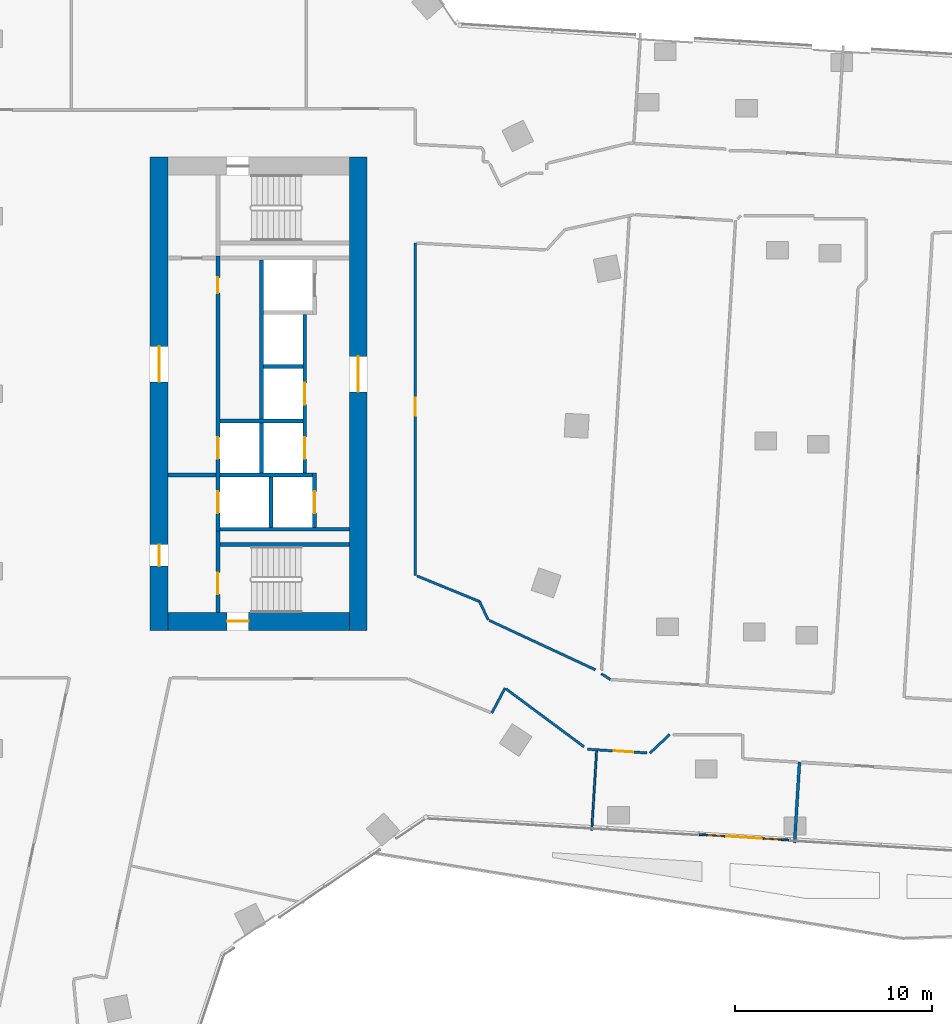
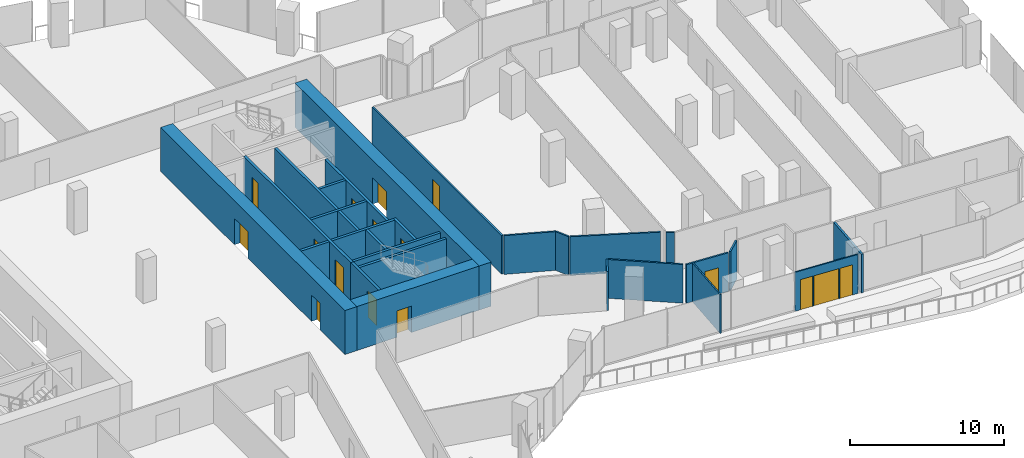
# One storey, part 24 of 34: 28 walls, 14 doors, 2 windows, 16 openings.
"""IFC4 building model written with IfcOpenShell, lengths in metres."""

from ifc_helpers import new_model, si_unit, direction, frame, frame_2d, origin, place, context, subcontext, project, spatial, rectangle, extrude, material, layer, layer_set, type_object, element, fill, save


model = new_model("IFC4")

# Units and contexts
model_context = context("Model", 3, precision=1e-05, world=origin(), true_north=direction((0.0, 1.0)))
body_context = subcontext(model_context, "Body", "Model", "MODEL_VIEW")
ifc_project = project(units=[si_unit("LENGTHUNIT", "METRE"), si_unit("AREAUNIT", "SQUARE_METRE"), si_unit("VOLUMEUNIT", "CUBIC_METRE"), si_unit("PLANEANGLEUNIT", "RADIAN"), si_unit("MASSUNIT", "GRAM", prefix="KILO")], contexts=[model_context])

# Site, building, storey
site_placement = place(None, origin())
site = spatial("IfcSite", under=ifc_project, at=site_placement, CompositionType="ELEMENT")
building_placement = place(site_placement, origin())
building = spatial("IfcBuilding", under=site, at=building_placement, Name="Orlundy Tower", CompositionType="ELEMENT")
storey_placement = place(building_placement, frame((0.0, 0.0, 145.60009765625)))
storey = spatial("IfcBuildingStorey", under=building, at=storey_placement, Name="L37", CompositionType="ELEMENT", Elevation=145.60009765625)

# Wall, opening, door
ifc_material_1 = material(Name="Concrete C70/85", Category="concrete")
ifc_layer_1 = layer(ifc_material_1, 0.89990234375)
ifc_layer_set_1 = layer_set([ifc_layer_1], Name="CORE WALL 900 C70/85")
wall_type_1 = type_object("IfcWallType", Name="CORE WALL 900 C70/85", PredefinedType="SHEAR", material=ifc_layer_set_1)
wall_1_placement = place(storey_placement, frame((8.89990234375, -11.550048828125, 0.0), z_axis=(0.0, 0.0, 1.0), x_axis=(1.0, 0.0, 0.0)))
wall_1 = element("IfcWall", 1, at=wall_1_placement, inside=storey, type_object=wall_type_1, Name="Core wall E-S L37", PredefinedType="SHEAR", context=body_context, shape_type="SweptSolid", body=[
    extrude(rectangle(XDim=9.2001953125, YDim=0.89990234375, at=frame_2d((4.60009765625, 0.0))), origin(), (0.0, 0.0, 1.0), 3.5),
])
opening_1_placement = place(wall_1_placement, frame((3.0, 0.0, 0.0)))
opening_1 = element("IfcOpeningElement", 2, at=opening_1_placement, cuts=wall_1, Name="Opening 28060", PredefinedType="OPENING", context=body_context, shape_type="SweptSolid", body=[
    extrude(rectangle(XDim=1.10009765625, YDim=2.10009765625, at=frame_2d((0.550048828125, 1.050048828125))), frame((0.0, 0.4599609375, 0.0), z_axis=(0.0, -1.0, 0.0), x_axis=(1.0, 0.0, 0.0)), (0.0, 0.0, 1.0), 0.919921875),
])
ifc_material_2 = material(Name="Steel door set", Category="steel")
door_type_1 = type_object("IfcDoorType", Name="Stair Door 1100x2100", OperationType="SINGLE_SWING_LEFT", PredefinedType="DOOR", material=ifc_material_2)
door_1_placement = place(opening_1_placement, origin())
door_1 = element("IfcDoor", 3, at=door_1_placement, inside=storey, type_object=door_type_1, Name="Stair door 28060", OperationType="SINGLE_SWING_LEFT", OverallHeight=2.10009765625, OverallWidth=1.10009765625, PredefinedType="DOOR", context=body_context, shape_type="SweptSolid", body=[
    extrude(rectangle(XDim=1.10009765625, YDim=2.10009765625, at=frame_2d((0.550048828125, 1.050048828125))), frame((0.0, 0.02490234375, 0.0), z_axis=(0.0, -1.0, 0.0), x_axis=(1.0, 0.0, 0.0)), (0.0, 0.0, 1.0), 0.050048828125),
])
fill(opening_1, door_1)

# Wall, openings, doors
wall_2_placement = place(storey_placement, frame((8.449951171875, -12.0, 0.0), z_axis=(0.0, 0.0, 1.0), x_axis=(0.0, 1.0, 0.0)))
wall_2 = element("IfcWall", 4, at=wall_2_placement, inside=storey, type_object=wall_type_1, Name="Core wall E-W L37", PredefinedType="SHEAR", context=body_context, shape_type="SweptSolid", body=[
    extrude(rectangle(XDim=24.0, YDim=0.89990234375, at=frame_2d((12.0, 0.0))), origin(), (0.0, 0.0, 1.0), 3.5),
])
opening_2_placement = place(wall_2_placement, frame((12.60009765625, 0.0, 0.0)))
opening_2 = element("IfcOpeningElement", 5, at=opening_2_placement, cuts=wall_2, Name="Opening 28057", PredefinedType="OPENING", context=body_context, shape_type="SweptSolid", body=[
    extrude(rectangle(XDim=1.800048828125, YDim=2.10009765625, at=frame_2d((0.89990234375, 1.050048828125))), frame((0.0, 0.4599609375, 0.0), z_axis=(0.0, -1.0, 0.0), x_axis=(1.0, 0.0, 0.0)), (0.0, 0.0, 1.0), 0.919921875),
])
opening_3_placement = place(wall_2_placement, frame((3.25, 0.0, 0.0)))
opening_3 = element("IfcOpeningElement", 6, at=opening_3_placement, cuts=wall_2, Name="Opening 28059", PredefinedType="OPENING", context=body_context, shape_type="SweptSolid", body=[
    extrude(rectangle(XDim=1.10009765625, YDim=2.10009765625, at=frame_2d((0.550048828125, 1.050048828125))), frame((0.0, 0.4599609375, 0.0), z_axis=(0.0, -1.0, 0.0), x_axis=(1.0, 0.0, 0.0)), (0.0, 0.0, 1.0), 0.919921875),
])
ifc_material_3 = material(Name="Steel door set", Category="steel")
door_type_2 = type_object("IfcDoorType", Name="Fire-fighting Lobby Door 1100x2100", OperationType="SINGLE_SWING_LEFT", PredefinedType="DOOR", material=ifc_material_3)
door_2_placement = place(opening_3_placement, origin())
door_2 = element("IfcDoor", 7, at=door_2_placement, inside=storey, type_object=door_type_2, Name="Fire-fighting lobby door 28059", OperationType="SINGLE_SWING_LEFT", OverallHeight=2.10009765625, OverallWidth=1.10009765625, PredefinedType="DOOR", context=body_context, shape_type="SweptSolid", body=[
    extrude(rectangle(XDim=1.10009765625, YDim=2.10009765625, at=frame_2d((0.550048828125, 1.050048828125))), frame((0.0, 0.02490234375, 0.0), z_axis=(0.0, -1.0, 0.0), x_axis=(1.0, 0.0, 0.0)), (0.0, 0.0, 1.0), 0.050048828125),
])
fill(opening_3, door_2)
ifc_material_4 = material(Name="Timber door set", Category="wood")
door_type_3 = type_object("IfcDoorType", Name="Lobby Door 1800x2100", OperationType="DOUBLE_DOOR_DOUBLE_SWING", PredefinedType="DOOR", material=ifc_material_4)
door_3_placement = place(opening_2_placement, origin())
door_3 = element("IfcDoor", 8, at=door_3_placement, inside=storey, type_object=door_type_3, Name="Lift lobby door 28057", OperationType="SINGLE_SWING_RIGHT", OverallHeight=2.10009765625, OverallWidth=1.800048828125, PredefinedType="DOOR", context=body_context, shape_type="SweptSolid", body=[
    extrude(rectangle(XDim=1.800048828125, YDim=2.10009765625, at=frame_2d((0.89990234375, 1.050048828125))), frame((0.0, 0.02490234375, 0.0), z_axis=(0.0, -1.0, 0.0), x_axis=(1.0, 0.0, 0.0)), (0.0, 0.0, 1.0), 0.050048828125),
])
fill(opening_2, door_3)

# Wall, opening, door
wall_3_placement = place(storey_placement, frame((18.550048828125, -12.0, 0.0), z_axis=(0.0, 0.0, 1.0), x_axis=(0.0, 1.0, 0.0)))
wall_3 = element("IfcWall", 9, at=wall_3_placement, inside=storey, type_object=wall_type_1, Name="Core wall E-E L37", PredefinedType="SHEAR", context=body_context, shape_type="SweptSolid", body=[
    extrude(rectangle(XDim=24.0, YDim=0.89990234375, at=frame_2d((12.0, 0.0))), origin(), (0.0, 0.0, 1.0), 3.5),
])
opening_4_placement = place(wall_3_placement, frame((12.10009765625, 0.0, 0.0)))
opening_4 = element("IfcOpeningElement", 10, at=opening_4_placement, cuts=wall_3, Name="Opening 28058", PredefinedType="OPENING", context=body_context, shape_type="SweptSolid", body=[
    extrude(rectangle(XDim=1.800048828125, YDim=2.10009765625, at=frame_2d((0.89990234375, 1.050048828125))), frame((0.0, 0.4599609375, 0.0), z_axis=(0.0, -1.0, 0.0), x_axis=(1.0, 0.0, 0.0)), (0.0, 0.0, 1.0), 0.919921875),
])
door_4_placement = place(opening_4_placement, origin())
door_4 = element("IfcDoor", 11, at=door_4_placement, inside=storey, type_object=door_type_3, Name="Lift lobby door 28058", OperationType="SINGLE_SWING_RIGHT", OverallHeight=2.10009765625, OverallWidth=1.800048828125, PredefinedType="DOOR", context=body_context, shape_type="SweptSolid", body=[
    extrude(rectangle(XDim=1.800048828125, YDim=2.10009765625, at=frame_2d((0.89990234375, 1.050048828125))), frame((0.0, 0.02490234375, 0.0), z_axis=(0.0, -1.0, 0.0), x_axis=(1.0, 0.0, 0.0)), (0.0, 0.0, 1.0), 0.050048828125),
])
fill(opening_4, door_4)

# Walls
ifc_material_5 = material(Name="Gypsum board partition")
ifc_layer_2 = layer(ifc_material_5, 0.10009765625)
ifc_layer_set_2 = layer_set([ifc_layer_2], Name="Floor partition 100")
wall_type_2 = type_object("IfcWallType", Name="Floor partition 100", PredefinedType="PARTITIONING", material=ifc_layer_set_2)
wall_4_placement = place(storey_placement, frame((30.39794921875, -22.14697265625, 0.0), z_axis=(0.0, 0.0, 1.0), x_axis=(0.061043573774, 0.998135102128, 0.0)))
element("IfcWall", 12, at=wall_4_placement, inside=storey, type_object=wall_type_2, Name="wall-int-L37-123", PredefinedType="PARTITIONING", context=body_context, shape_type="SweptSolid", body=[
    extrude(rectangle(XDim=4.031494140625, YDim=0.10009765625, at=frame_2d((2.015625, 0.0))), origin(), (0.0, 0.0, 1.0), 3.079833984375),
])
ifc_material_6 = material(Name="Gypsum board partition, double layer")
ifc_layer_3 = layer(ifc_material_6, 0.125)
ifc_layer_set_3 = layer_set([ifc_layer_3], Name="Floor partition 125")
wall_type_3 = type_object("IfcWallType", Name="Floor partition 125", PredefinedType="PARTITIONING", material=ifc_layer_set_3)
wall_5_placement = place(storey_placement, frame((26.050048828125, -14.968994140625, 0.0), z_axis=(0.0, 0.0, 1.0), x_axis=(0.802733003706, -0.596338599087, 0.0)))
element("IfcWall", 13, at=wall_5_placement, inside=storey, type_object=wall_type_3, Name="wall-int-L37-010", PredefinedType="PARTITIONING", context=body_context, shape_type="SweptSolid", body=[
    extrude(rectangle(XDim=4.9267578125, YDim=0.125, at=frame_2d((2.46337890625, 0.0))), origin(), (0.0, 0.0, 1.0), 3.079833984375),
])
wall_6_placement = place(storey_placement, frame((30.577880859375, -14.0, 0.0), z_axis=(0.0, 0.0, 1.0), x_axis=(-0.906684476779, 0.421809506257, 0.0)))
element("IfcWall", 14, at=wall_6_placement, inside=storey, type_object=wall_type_3, Name="wall-int-L37-011", PredefinedType="PARTITIONING", context=body_context, shape_type="SweptSolid", body=[
    extrude(rectangle(XDim=5.9267578125, YDim=0.125, at=frame_2d((2.96337890625, 0.0))), origin(), (0.0, 0.0, 1.0), 3.079833984375),
])
wall_7_placement = place(storey_placement, frame((30.884033203125, -14.198974609375, 0.0), z_axis=(0.0, 0.0, 1.0), x_axis=(0.838402684299, -0.545051317731, 0.0)))
element("IfcWall", 15, at=wall_7_placement, inside=storey, type_object=wall_type_3, Name="wall-int-L37-012", PredefinedType="PARTITIONING", context=body_context, shape_type="SweptSolid", body=[
    extrude(rectangle(XDim=0.545166015625, YDim=0.125, at=frame_2d((0.2724609375, 0.0))), origin(), (0.0, 0.0, 1.0), 3.079833984375),
])
wall_8_placement = place(storey_placement, frame((21.535888671875, -9.241943359375, 0.0), z_axis=(0.0, 0.0, 1.0), x_axis=(0.925663837475, -0.37834701002, 0.0)))
element("IfcWall", 16, at=wall_8_placement, inside=storey, type_object=wall_type_3, Name="wall-int-L37-014", PredefinedType="PARTITIONING", context=body_context, shape_type="SweptSolid", body=[
    extrude(rectangle(XDim=3.42578125, YDim=0.125, at=frame_2d((1.712890625, 0.0))), origin(), (0.0, 0.0, 1.0), 3.079833984375),
])

# Wall, opening, door
wall_9_placement = place(storey_placement, frame((33.20703125, -18.218017578125, 0.0), z_axis=(0.0, 0.0, 1.0), x_axis=(-0.998124126211, 0.061222779053, 0.0)))
wall_9 = element("IfcWall", 17, at=wall_9_placement, inside=storey, type_object=wall_type_3, Name="wall-int-L37-034", PredefinedType="PARTITIONING", context=body_context, shape_type="SweptSolid", body=[
    extrude(rectangle(XDim=3.03857421875, YDim=0.125, at=frame_2d((1.519287109375, 0.0))), origin(), (0.0, 0.0, 1.0), 3.079833984375),
])
opening_5_placement = place(wall_9_placement, frame((0.70361328125, 0.0, 0.0)))
opening_5 = element("IfcOpeningElement", 18, at=opening_5_placement, cuts=wall_9, Name="Opening 28109", PredefinedType="OPENING", context=body_context, shape_type="SweptSolid", body=[
    extrude(rectangle(XDim=1.0, YDim=2.10009765625, at=frame_2d((0.5, 1.050048828125))), frame((0.0, 0.072509765625, 0.0), z_axis=(0.0, -1.0, 0.0), x_axis=(1.0, 0.0, 0.0)), (0.0, 0.0, 1.0), 0.14501953125),
])
ifc_material_7 = material(Name="Timber door leaf", Category="wood")
door_type_4 = type_object("IfcDoorType", Name="Floor door wide 1000 FD30S", OperationType="NOTDEFINED", PredefinedType="DOOR", material=ifc_material_7)
door_5_placement = place(opening_5_placement, origin())
door_5 = element("IfcDoor", 19, at=door_5_placement, inside=storey, type_object=door_type_4, Name="Door 28109", OperationType="SINGLE_SWING_LEFT", OverallHeight=2.10009765625, OverallWidth=1.0, PredefinedType="DOOR", context=body_context, shape_type="SweptSolid", body=[
    extrude(rectangle(XDim=1.0, YDim=2.10009765625, at=frame_2d((0.5, 1.050048828125))), frame((0.0, 0.02490234375, 0.0), z_axis=(0.0, -1.0, 0.0), x_axis=(1.0, 0.0, 0.0)), (0.0, 0.0, 1.0), 0.050048828125),
])
fill(opening_5, door_5)

# Walls
wall_10_placement = place(storey_placement, frame((33.35302734375, -18.22607421875, 0.0), z_axis=(0.0, 0.0, 1.0), x_axis=(0.728378164572, 0.685175342066, 0.0)))
element("IfcWall", 20, at=wall_10_placement, inside=storey, type_object=wall_type_3, Name="wall-int-L37-090", PredefinedType="PARTITIONING", context=body_context, shape_type="SweptSolid", body=[
    extrude(rectangle(XDim=1.367431640625, YDim=0.125, at=frame_2d((0.68359375, 0.0))), origin(), (0.0, 0.0, 1.0), 3.079833984375),
])
wall_11_placement = place(storey_placement, frame((26.0, -14.931884765625, 0.0), z_axis=(0.0, 0.0, 1.0), x_axis=(-0.469063701963, -0.883164335501, 0.0)))
element("IfcWall", 21, at=wall_11_placement, inside=storey, type_object=wall_type_3, Name="wall-int-L37-092", PredefinedType="PARTITIONING", context=body_context, shape_type="SweptSolid", body=[
    extrude(rectangle(XDim=1.43017578125, YDim=0.125, at=frame_2d((0.715087890625, 0.0))), origin(), (0.0, 0.0, 1.0), 3.079833984375),
])
wall_12_placement = place(storey_placement, frame((25.14697265625, -11.47412109375, 0.0), z_axis=(0.0, 0.0, 1.0), x_axis=(-0.425365006665, 0.905021884324, 0.0)))
element("IfcWall", 22, at=wall_12_placement, inside=storey, type_object=wall_type_3, Name="wall-int-L37-093", PredefinedType="PARTITIONING", context=body_context, shape_type="SweptSolid", body=[
    extrude(rectangle(XDim=1.0341796875, YDim=0.125, at=frame_2d((0.51708984375, 0.0))), origin(), (0.0, 0.0, 1.0), 3.079833984375),
])

# Wall, opening, door
wall_13_placement = place(storey_placement, frame((21.449951171875, 7.64306640625, 0.0), z_axis=(0.0, 0.0, 1.0), x_axis=(0.0, -1.0, 0.0)))
wall_13 = element("IfcWall", 23, at=wall_13_placement, inside=storey, type_object=wall_type_3, Name="wall-int-L37-133", PredefinedType="PARTITIONING", context=body_context, shape_type="SweptSolid", body=[
    extrude(rectangle(XDim=16.85009765625, YDim=0.125, at=frame_2d((8.425048828125, 0.0))), origin(), (0.0, 0.0, 1.0), 3.079833984375),
])
opening_6_placement = place(wall_13_placement, frame((7.85009765625, 0.0, 0.0)))
opening_6 = element("IfcOpeningElement", 24, at=opening_6_placement, cuts=wall_13, Name="Opening 28127", PredefinedType="OPENING", context=body_context, shape_type="SweptSolid", body=[
    extrude(rectangle(XDim=0.89990234375, YDim=2.10009765625, at=frame_2d((0.449951171875, 1.050048828125))), frame((0.0, 0.072509765625, 0.0), z_axis=(0.0, -1.0, 0.0), x_axis=(1.0, 0.0, 0.0)), (0.0, 0.0, 1.0), 0.14501953125),
])
ifc_material_8 = material(Name="Timber door leaf", Category="wood")
door_type_5 = type_object("IfcDoorType", Name="Floor door single 900 FD30S", OperationType="NOTDEFINED", PredefinedType="DOOR", material=ifc_material_8)
door_6_placement = place(opening_6_placement, origin())
door_6 = element("IfcDoor", 25, at=door_6_placement, inside=storey, type_object=door_type_5, Name="Door 28127", OperationType="SINGLE_SWING_LEFT", OverallHeight=2.10009765625, OverallWidth=0.89990234375, PredefinedType="DOOR", context=body_context, shape_type="SweptSolid", body=[
    extrude(rectangle(XDim=0.89990234375, YDim=2.10009765625, at=frame_2d((0.449951171875, 1.050048828125))), frame((0.0, 0.02490234375, 0.0), z_axis=(0.0, -1.0, 0.0), x_axis=(1.0, 0.0, 0.0)), (0.0, 0.0, 1.0), 0.050048828125),
])
fill(opening_6, door_6)

# Wall
ifc_material_9 = material(Name="Blockwork shaft wall", Category="masonry")
ifc_layer_4 = layer(ifc_material_9, 0.14990234375)
ifc_layer_set_4 = layer_set([ifc_layer_4], Name="Floor shaft wall 150")
wall_type_4 = type_object("IfcWallType", Name="Floor shaft wall 150", PredefinedType="PARTITIONING", material=ifc_layer_set_4)
wall_14_placement = place(storey_placement, frame((40.68603515625, -22.77587890625, 0.0), z_axis=(0.0, 0.0, 1.0), x_axis=(0.060848074347, 0.998147039192, 0.0)))
element("IfcWall", 26, at=wall_14_placement, inside=storey, type_object=wall_type_4, Name="wall-int-L37-120", PredefinedType="PARTITIONING", context=body_context, shape_type="SweptSolid", body=[
    extrude(rectangle(XDim=4.092529296875, YDim=0.14990234375, at=frame_2d((2.04638671875, 0.0))), origin(), (0.0, 0.0, 1.0), 3.079833984375),
])

# Wall, openings, windows, door
ifc_material_10 = material(Name="Aluminium bronze and tinted glass", Category="aluminium")
ifc_layer_5 = layer(ifc_material_10, 0.10009765625)
ifc_layer_set_5 = layer_set([ifc_layer_5], Name="Glazed door screen")
wall_type_5 = type_object("IfcWallType", Name="Glazed door screen", PredefinedType="STANDARD", material=ifc_layer_set_5)
wall_15_placement = place(storey_placement, frame((40.4072265625, -22.638916015625, 0.0), z_axis=(0.0, 0.0, 1.0), x_axis=(-0.998136271082, 0.061024456984, 0.0)))
wall_15 = element("IfcWall", 27, at=wall_15_placement, inside=storey, type_object=wall_type_5, Name="Glazed door screen", PredefinedType="STANDARD", context=body_context, shape_type="SweptSolid", body=[
    extrude(rectangle(XDim=4.580810546875, YDim=0.10009765625, at=frame_2d((2.29052734375, 0.0))), origin(), (0.0, 0.0, 1.0), 3.099853515625),
])
opening_7_placement = place(wall_15_placement, frame((1.390380859375, 0.0, 0.0)))
opening_7 = element("IfcOpeningElement", 28, at=opening_7_placement, cuts=wall_15, Name="Opening 28940", PredefinedType="OPENING", context=body_context, shape_type="SweptSolid", body=[
    extrude(rectangle(XDim=1.800048828125, YDim=2.39990234375, at=frame_2d((0.89990234375, 1.199951171875))), frame((0.0, 0.06005859375, 0.0), z_axis=(0.0, -1.0, 0.0), x_axis=(1.0, 0.0, 0.0)), (0.0, 0.0, 1.0), 0.1201171875),
])
opening_8_placement = place(wall_15_placement, frame((0.390380859375, 0.0, 0.0)))
opening_8 = element("IfcOpeningElement", 29, at=opening_8_placement, cuts=wall_15, Name="Opening W02", PredefinedType="OPENING", context=body_context, shape_type="SweptSolid", body=[
    extrude(rectangle(XDim=0.89990234375, YDim=2.39990234375, at=frame_2d((0.449951171875, 1.199951171875))), frame((0.0, 0.06005859375, 0.0), z_axis=(0.0, -1.0, 0.0), x_axis=(1.0, 0.0, 0.0)), (0.0, 0.0, 1.0), 0.1201171875),
])
opening_9_placement = place(wall_15_placement, frame((3.290283203125, 0.0, 0.0)))
opening_9 = element("IfcOpeningElement", 30, at=opening_9_placement, cuts=wall_15, Name="Opening W02", PredefinedType="OPENING", context=body_context, shape_type="SweptSolid", body=[
    extrude(rectangle(XDim=0.89990234375, YDim=2.39990234375, at=frame_2d((0.449951171875, 1.199951171875))), frame((0.0, 0.06005859375, 0.0), z_axis=(0.0, -1.0, 0.0), x_axis=(1.0, 0.0, 0.0)), (0.0, 0.0, 1.0), 0.1201171875),
])
ifc_material_11 = material(Name="Tinted glass in bronze aluminium frame", Category="aluminium")
window_type = type_object("IfcWindowType", Name="SL2 sidelight 900x2400", PartitioningType="SINGLE_PANEL", PredefinedType="WINDOW", material=ifc_material_11)
window_1_placement = place(opening_8_placement, origin())
window_1 = element("IfcWindow", 31, at=window_1_placement, inside=storey, type_object=window_type, Name="Window W02 L37", OverallHeight=2.39990234375, OverallWidth=0.89990234375, PartitioningType="SINGLE_PANEL", PredefinedType="WINDOW", context=body_context, shape_type="SweptSolid", body=[
    extrude(rectangle(XDim=0.89990234375, YDim=2.39990234375, at=frame_2d((0.449951171875, 1.199951171875))), frame((0.0, 0.030029296875, 0.0), z_axis=(0.0, -1.0, 0.0), x_axis=(1.0, 0.0, 0.0)), (0.0, 0.0, 1.0), 0.06005859375),
])
fill(opening_8, window_1)
window_2_placement = place(opening_9_placement, origin())
window_2 = element("IfcWindow", 32, at=window_2_placement, inside=storey, type_object=window_type, Name="Window W02 L37", OverallHeight=2.39990234375, OverallWidth=0.89990234375, PartitioningType="SINGLE_PANEL", PredefinedType="WINDOW", context=body_context, shape_type="SweptSolid", body=[
    extrude(rectangle(XDim=0.89990234375, YDim=2.39990234375, at=frame_2d((0.449951171875, 1.199951171875))), frame((0.0, 0.030029296875, 0.0), z_axis=(0.0, -1.0, 0.0), x_axis=(1.0, 0.0, 0.0)), (0.0, 0.0, 1.0), 0.06005859375),
])
fill(opening_9, window_2)
ifc_material_12 = material(Name="Aluminium bronze and tinted glass", Category="aluminium")
door_type_6 = type_object("IfcDoorType", Name="TD1 terrace door 1800x2400", OperationType="NOTDEFINED", PredefinedType="DOOR", material=ifc_material_12)
door_7_placement = place(opening_7_placement, origin())
door_7 = element("IfcDoor", 33, at=door_7_placement, inside=storey, type_object=door_type_6, Name="Door 28940", OperationType="DOUBLE_DOOR_SINGLE_SWING", OverallHeight=2.39990234375, OverallWidth=1.800048828125, PredefinedType="DOOR", context=body_context, shape_type="SweptSolid", body=[
    extrude(rectangle(XDim=1.800048828125, YDim=2.39990234375, at=frame_2d((0.89990234375, 1.199951171875))), frame((0.0, 0.02490234375, 0.0), z_axis=(0.0, -1.0, 0.0), x_axis=(1.0, 0.0, 0.0)), (0.0, 0.0, 1.0), 0.050048828125),
])
fill(opening_7, door_7)

# Wall, opening, door
ifc_material_13 = material(Name="Concrete C40/50", Category="concrete")
ifc_layer_6 = layer(ifc_material_13, 0.199951171875)
ifc_layer_set_6 = layer_set([ifc_layer_6], Name="Load-bearing Shaft Wall 200")
wall_type_6 = type_object("IfcWallType", Name="Load-bearing Shaft Wall 200", PredefinedType="SOLIDWALL", material=ifc_layer_set_6)
wall_16_placement = place(storey_placement, frame((11.43994140625, -6.97509765625, 0.0), z_axis=(0.0, 0.0, 1.0), x_axis=(0.0, -1.0, 0.0)))
wall_16 = element("IfcWall", 34, at=wall_16_placement, inside=storey, type_object=wall_type_6, Name="Shaft wall E28-stair-end-n", PredefinedType="SOLIDWALL", context=body_context, shape_type="SweptSolid", body=[
    extrude(rectangle(XDim=4.125, YDim=0.199951171875, at=frame_2d((2.0625, 0.0))), origin(), (0.0, 0.0, 1.0), 3.08984375),
])
opening_10_placement = place(wall_16_placement, frame((2.10009765625, 0.0, 0.0)))
opening_10 = element("IfcOpeningElement", 35, at=opening_10_placement, cuts=wall_16, Name="Opening 28062", PredefinedType="OPENING", context=body_context, shape_type="SweptSolid", body=[
    extrude(rectangle(XDim=1.10009765625, YDim=2.10009765625, at=frame_2d((0.550048828125, 1.050048828125))), frame((0.0, 0.110107421875, 0.0), z_axis=(0.0, -1.0, 0.0), x_axis=(1.0, 0.0, 0.0)), (0.0, 0.0, 1.0), 0.22021484375),
])
door_8_placement = place(opening_10_placement, origin())
door_8 = element("IfcDoor", 36, at=door_8_placement, inside=storey, type_object=door_type_2, Name="Fire-fighting lobby to stair door 28062", OperationType="SINGLE_SWING_RIGHT", OverallHeight=2.10009765625, OverallWidth=1.10009765625, PredefinedType="DOOR", context=body_context, shape_type="SweptSolid", body=[
    extrude(rectangle(XDim=1.10009765625, YDim=2.10009765625, at=frame_2d((0.550048828125, 1.050048828125))), frame((0.0, 0.02490234375, 0.0), z_axis=(0.0, -1.0, 0.0), x_axis=(1.0, 0.0, 0.0)), (0.0, 0.0, 1.0), 0.050048828125),
])
fill(opening_10, door_8)

# Walls
wall_17_placement = place(storey_placement, frame((11.5400390625, -7.64990234375, 0.0), z_axis=(0.0, 0.0, 1.0), x_axis=(1.0, 0.0, 0.0)))
element("IfcWall", 37, at=wall_17_placement, inside=storey, type_object=wall_type_6, Name="Shaft wall E28-stair-side-n", PredefinedType="SOLIDWALL", context=body_context, shape_type="SweptSolid", body=[
    extrude(rectangle(XDim=6.56005859375, YDim=0.199951171875, at=frame_2d((3.280029296875, 0.0))), origin(), (0.0, 0.0, 1.0), 3.08984375),
])
ifc_material_14 = material(Name="Gypsum board partition on steel studs", Category="steel")
ifc_layer_7 = layer(ifc_material_14, 0.199951171875)
ifc_layer_set_7 = layer_set([ifc_layer_7], Name="Partition 200")
wall_type_7 = type_object("IfcWallType", Name="Partition 200", PredefinedType="PARTITIONING", material=ifc_layer_set_7)
wall_18_placement = place(storey_placement, frame((8.89990234375, -4.125, 0.0), z_axis=(0.0, 0.0, 1.0), x_axis=(1.0, 0.0, 0.0)))
element("IfcWall", 38, at=wall_18_placement, inside=storey, type_object=wall_type_7, Name="Partition wall E28-lobby-n", PredefinedType="PARTITIONING", context=body_context, shape_type="SweptSolid", body=[
    extrude(rectangle(XDim=2.440185546875, YDim=0.199951171875, at=frame_2d((1.22021484375, 0.0))), origin(), (0.0, 0.0, 1.0), 3.08984375),
])
ifc_material_15 = material(Name="Fire-rated blockwork shaft wall", Category="masonry")
ifc_layer_8 = layer(ifc_material_15, 0.199951171875)
ifc_layer_set_8 = layer_set([ifc_layer_8], Name="Shaft Wall 200")
wall_type_8 = type_object("IfcWallType", Name="Shaft Wall 200", PredefinedType="SOLIDWALL", material=ifc_layer_set_8)
wall_19_placement = place(storey_placement, frame((11.5400390625, -6.875, 0.0), z_axis=(0.0, 0.0, 1.0), x_axis=(1.0, 0.0, 0.0)))
element("IfcWall", 39, at=wall_19_placement, inside=storey, type_object=wall_type_8, Name="Shaft wall E28-zone-n", PredefinedType="SOLIDWALL", context=body_context, shape_type="SweptSolid", body=[
    extrude(rectangle(XDim=6.56005859375, YDim=0.199951171875, at=frame_2d((3.280029296875, 0.0))), origin(), (0.0, 0.0, 1.0), 3.08984375),
])
wall_20_placement = place(storey_placement, frame((13.739990234375, 1.375, 0.0), z_axis=(0.0, 0.0, 1.0), x_axis=(1.0, 0.0, 0.0)))
element("IfcWall", 40, at=wall_20_placement, inside=storey, type_object=wall_type_8, Name="Shaft wall E28-cross-1.375", PredefinedType="SOLIDWALL", context=body_context, shape_type="SweptSolid", body=[
    extrude(rectangle(XDim=2.0, YDim=0.199951171875, at=frame_2d((1.0, 0.0))), origin(), (0.0, 0.0, 1.0), 3.08984375),
])
wall_21_placement = place(storey_placement, frame((11.5400390625, -1.375, 0.0), z_axis=(0.0, 0.0, 1.0), x_axis=(1.0, 0.0, 0.0)))
element("IfcWall", 41, at=wall_21_placement, inside=storey, type_object=wall_type_8, Name="Shaft wall E28-cross+1.375", PredefinedType="SOLIDWALL", context=body_context, shape_type="SweptSolid", body=[
    extrude(rectangle(XDim=4.199951171875, YDim=0.199951171875, at=frame_2d((2.10009765625, 0.0))), origin(), (0.0, 0.0, 1.0), 3.08984375),
])
wall_22_placement = place(storey_placement, frame((11.5400390625, -4.125, 0.0), z_axis=(0.0, 0.0, 1.0), x_axis=(1.0, 0.0, 0.0)))
element("IfcWall", 42, at=wall_22_placement, inside=storey, type_object=wall_type_8, Name="Shaft wall E28-cross+4.125", PredefinedType="SOLIDWALL", context=body_context, shape_type="SweptSolid", body=[
    extrude(rectangle(XDim=4.699951171875, YDim=0.199951171875, at=frame_2d((2.35009765625, 0.0))), origin(), (0.0, 0.0, 1.0), 3.08984375),
])

# Wall, openings, doors
wall_23_placement = place(storey_placement, frame((11.43994140625, 6.97509765625, 0.0), z_axis=(0.0, 0.0, 1.0), x_axis=(0.0, -1.0, 0.0)))
wall_23 = element("IfcWall", 43, at=wall_23_placement, inside=storey, type_object=wall_type_8, Name="Shaft wall E28-front-h", PredefinedType="SOLIDWALL", context=body_context, shape_type="SweptSolid", body=[
    extrude(rectangle(XDim=13.9501953125, YDim=0.199951171875, at=frame_2d((6.97509765625, 0.0))), origin(), (0.0, 0.0, 1.0), 3.08984375),
])
opening_11_placement = place(wall_23_placement, frame((9.175048828125, 0.0, 0.0)))
opening_11 = element("IfcOpeningElement", 44, at=opening_11_placement, cuts=wall_23, Name="Opening 28052", PredefinedType="OPENING", context=body_context, shape_type="SweptSolid", body=[
    extrude(rectangle(XDim=1.10009765625, YDim=2.10009765625, at=frame_2d((0.550048828125, 1.050048828125))), frame((0.0, 0.110107421875, 0.0), z_axis=(0.0, -1.0, 0.0), x_axis=(1.0, 0.0, 0.0)), (0.0, 0.0, 1.0), 0.22021484375),
])
opening_12_placement = place(wall_23_placement, frame((11.925048828125, 0.0, 0.0)))
opening_12 = element("IfcOpeningElement", 45, at=opening_12_placement, cuts=wall_23, Name="Opening 28054", PredefinedType="OPENING", context=body_context, shape_type="SweptSolid", body=[
    extrude(rectangle(XDim=1.10009765625, YDim=2.10009765625, at=frame_2d((0.550048828125, 1.050048828125))), frame((0.0, 0.110107421875, 0.0), z_axis=(0.0, -1.0, 0.0), x_axis=(1.0, 0.0, 0.0)), (0.0, 0.0, 1.0), 0.22021484375),
])
opening_13_placement = place(wall_23_placement, frame((1.074951171875, 0.0, 0.0)))
opening_13 = element("IfcOpeningElement", 46, at=opening_13_placement, cuts=wall_23, Name="Opening 28056", PredefinedType="OPENING", context=body_context, shape_type="SweptSolid", body=[
    extrude(rectangle(XDim=0.800048828125, YDim=2.10009765625, at=frame_2d((0.39990234375, 1.050048828125))), frame((0.0, 0.110107421875, 0.0), z_axis=(0.0, -1.0, 0.0), x_axis=(1.0, 0.0, 0.0)), (0.0, 0.0, 1.0), 0.22021484375),
])
ifc_material_16 = material(Name="Steel door set", Category="steel")
door_type_7 = type_object("IfcDoorType", Name="Landing Door 1100x2100", OperationType="DOUBLE_DOOR_SLIDING", PredefinedType="DOOR", material=ifc_material_16)
door_9_placement = place(opening_11_placement, origin())
door_9 = element("IfcDoor", 47, at=door_9_placement, inside=storey, type_object=door_type_7, Name="Lift landing door LP-16 28052", OperationType="DOUBLE_DOOR_SLIDING", OverallHeight=2.10009765625, OverallWidth=1.10009765625, PredefinedType="DOOR", context=body_context, shape_type="SweptSolid", body=[
    extrude(rectangle(XDim=1.10009765625, YDim=2.10009765625, at=frame_2d((0.550048828125, 1.050048828125))), frame((0.0, 0.02490234375, 0.0), z_axis=(0.0, -1.0, 0.0), x_axis=(1.0, 0.0, 0.0)), (0.0, 0.0, 1.0), 0.050048828125),
])
fill(opening_11, door_9)
door_10_placement = place(opening_12_placement, origin())
door_10 = element("IfcDoor", 48, at=door_10_placement, inside=storey, type_object=door_type_7, Name="Lift landing door FL2 28054", OperationType="DOUBLE_DOOR_SLIDING", OverallHeight=2.10009765625, OverallWidth=1.10009765625, PredefinedType="DOOR", context=body_context, shape_type="SweptSolid", body=[
    extrude(rectangle(XDim=1.10009765625, YDim=2.10009765625, at=frame_2d((0.550048828125, 1.050048828125))), frame((0.0, 0.02490234375, 0.0), z_axis=(0.0, -1.0, 0.0), x_axis=(1.0, 0.0, 0.0)), (0.0, 0.0, 1.0), 0.050048828125),
])
fill(opening_12, door_10)
ifc_material_17 = material(Name="Timber door set", Category="wood")
door_type_8 = type_object("IfcDoorType", Name="Riser Door 800x2100", OperationType="SINGLE_SWING_LEFT", PredefinedType="DOOR", material=ifc_material_17)
door_11_placement = place(opening_13_placement, origin())
door_11 = element("IfcDoor", 49, at=door_11_placement, inside=storey, type_object=door_type_8, Name="Pantry Store door 28056", OperationType="SINGLE_SWING_LEFT", OverallHeight=2.10009765625, OverallWidth=0.800048828125, PredefinedType="DOOR", context=body_context, shape_type="SweptSolid", body=[
    extrude(rectangle(XDim=0.800048828125, YDim=2.10009765625, at=frame_2d((0.39990234375, 1.050048828125))), frame((0.0, 0.02490234375, 0.0), z_axis=(0.0, -1.0, 0.0), x_axis=(1.0, 0.0, 0.0)), (0.0, 0.0, 1.0), 0.050048828125),
])
fill(opening_13, door_11)

# Walls
wall_24_placement = place(storey_placement, frame((13.639892578125, 6.77490234375, 0.0), z_axis=(0.0, 0.0, 1.0), x_axis=(0.0, -1.0, 0.0)))
element("IfcWall", 50, at=wall_24_placement, inside=storey, type_object=wall_type_8, Name="Shaft wall E28-mid-a", PredefinedType="SOLIDWALL", context=body_context, shape_type="SweptSolid", body=[
    extrude(rectangle(XDim=8.0498046875, YDim=0.199951171875, at=frame_2d((4.02490234375, 0.0))), origin(), (0.0, 0.0, 1.0), 3.08984375),
])
for number, where, z_axis, x_axis, name in (
    (51, (13.639892578125, -1.47509765625, 0.0), (0.0, 0.0, 1.0), (0.0, -1.0, 0.0), "Shaft wall E28-mid-a.1"),
    (52, (14.139892578125, -4.22509765625, 0.0), (0.0, 0.0, 1.0), (0.0, -1.0, 0.0), "Shaft wall E28-mid-b"),
):
    element("IfcWall", number, at=place(storey_placement, frame(where, z_axis=z_axis, x_axis=x_axis)), inside=storey, type_object=wall_type_8, Name=name, PredefinedType="SOLIDWALL", context=body_context, shape_type="SweptSolid", body=[
        extrude(rectangle(XDim=2.5498046875, YDim=0.199951171875, at=frame_2d((1.27490234375, 0.0))), origin(), (0.0, 0.0, 1.0), 3.08984375),
    ])

# Wall, openings, doors
wall_25_placement = place(storey_placement, frame((15.840087890625, 4.02490234375, 0.0), z_axis=(0.0, 0.0, 1.0), x_axis=(0.0, -1.0, 0.0)))
wall_25 = element("IfcWall", 53, at=wall_25_placement, inside=storey, type_object=wall_type_8, Name="Shaft wall E28-front-o-b", PredefinedType="SOLIDWALL", context=body_context, shape_type="SweptSolid", body=[
    extrude(rectangle(XDim=8.0498046875, YDim=0.199951171875, at=frame_2d((4.02490234375, 0.0))), origin(), (0.0, 0.0, 1.0), 3.08984375),
])
opening_14_placement = place(wall_25_placement, frame((3.47509765625, 0.0, 0.0)))
opening_14 = element("IfcOpeningElement", 54, at=opening_14_placement, cuts=wall_25, Name="Opening 28051", PredefinedType="OPENING", context=body_context, shape_type="SweptSolid", body=[
    extrude(rectangle(XDim=1.10009765625, YDim=2.10009765625, at=frame_2d((0.550048828125, 1.050048828125))), frame((0.0, 0.110107421875, 0.0), z_axis=(0.0, -1.0, 0.0), x_axis=(1.0, 0.0, 0.0)), (0.0, 0.0, 1.0), 0.22021484375),
])
opening_15_placement = place(wall_25_placement, frame((6.22509765625, 0.0, 0.0)))
opening_15 = element("IfcOpeningElement", 55, at=opening_15_placement, cuts=wall_25, Name="Opening 28053", PredefinedType="OPENING", context=body_context, shape_type="SweptSolid", body=[
    extrude(rectangle(XDim=1.10009765625, YDim=2.10009765625, at=frame_2d((0.550048828125, 1.050048828125))), frame((0.0, 0.110107421875, 0.0), z_axis=(0.0, -1.0, 0.0), x_axis=(1.0, 0.0, 0.0)), (0.0, 0.0, 1.0), 0.22021484375),
])
door_12_placement = place(opening_14_placement, origin())
door_12 = element("IfcDoor", 56, at=door_12_placement, inside=storey, type_object=door_type_7, Name="Lift landing door LP-15 28051", OperationType="DOUBLE_DOOR_SLIDING", OverallHeight=2.10009765625, OverallWidth=1.10009765625, PredefinedType="DOOR", context=body_context, shape_type="SweptSolid", body=[
    extrude(rectangle(XDim=1.10009765625, YDim=2.10009765625, at=frame_2d((0.550048828125, 1.050048828125))), frame((0.0, 0.02490234375, 0.0), z_axis=(0.0, -1.0, 0.0), x_axis=(1.0, 0.0, 0.0)), (0.0, 0.0, 1.0), 0.050048828125),
])
fill(opening_14, door_12)
door_13_placement = place(opening_15_placement, origin())
door_13 = element("IfcDoor", 57, at=door_13_placement, inside=storey, type_object=door_type_7, Name="Lift landing door LP-17 28053", OperationType="DOUBLE_DOOR_SLIDING", OverallHeight=2.10009765625, OverallWidth=1.10009765625, PredefinedType="DOOR", context=body_context, shape_type="SweptSolid", body=[
    extrude(rectangle(XDim=1.10009765625, YDim=2.10009765625, at=frame_2d((0.550048828125, 1.050048828125))), frame((0.0, 0.02490234375, 0.0), z_axis=(0.0, -1.0, 0.0), x_axis=(1.0, 0.0, 0.0)), (0.0, 0.0, 1.0), 0.050048828125),
])
fill(opening_15, door_13)

# Wall, opening, door
wall_26_placement = place(storey_placement, frame((16.340087890625, -4.02490234375, 0.0), z_axis=(0.0, 0.0, 1.0), x_axis=(0.0, -1.0, 0.0)))
wall_26 = element("IfcWall", 58, at=wall_26_placement, inside=storey, type_object=wall_type_8, Name="Shaft wall E28-front-o-c", PredefinedType="SOLIDWALL", context=body_context, shape_type="SweptSolid", body=[
    extrude(rectangle(XDim=2.75, YDim=0.199951171875, at=frame_2d((1.375, 0.0))), origin(), (0.0, 0.0, 1.0), 3.08984375),
])
opening_16_placement = place(wall_26_placement, frame((0.925048828125, 0.0, 0.0)))
opening_16 = element("IfcOpeningElement", 59, at=opening_16_placement, cuts=wall_26, Name="Opening 28055", PredefinedType="OPENING", context=body_context, shape_type="SweptSolid", body=[
    extrude(rectangle(XDim=1.10009765625, YDim=2.10009765625, at=frame_2d((0.550048828125, 1.050048828125))), frame((0.0, 0.110107421875, 0.0), z_axis=(0.0, -1.0, 0.0), x_axis=(1.0, 0.0, 0.0)), (0.0, 0.0, 1.0), 0.22021484375),
])
door_14_placement = place(opening_16_placement, origin())
door_14 = element("IfcDoor", 60, at=door_14_placement, inside=storey, type_object=door_type_7, Name="Lift landing door LP-18 28055", OperationType="DOUBLE_DOOR_SLIDING", OverallHeight=2.10009765625, OverallWidth=1.10009765625, PredefinedType="DOOR", context=body_context, shape_type="SweptSolid", body=[
    extrude(rectangle(XDim=1.10009765625, YDim=2.10009765625, at=frame_2d((0.550048828125, 1.050048828125))), frame((0.0, 0.02490234375, 0.0), z_axis=(0.0, -1.0, 0.0), x_axis=(1.0, 0.0, 0.0)), (0.0, 0.0, 1.0), 0.050048828125),
])
fill(opening_16, door_14)

save(model, "model.ifc")
